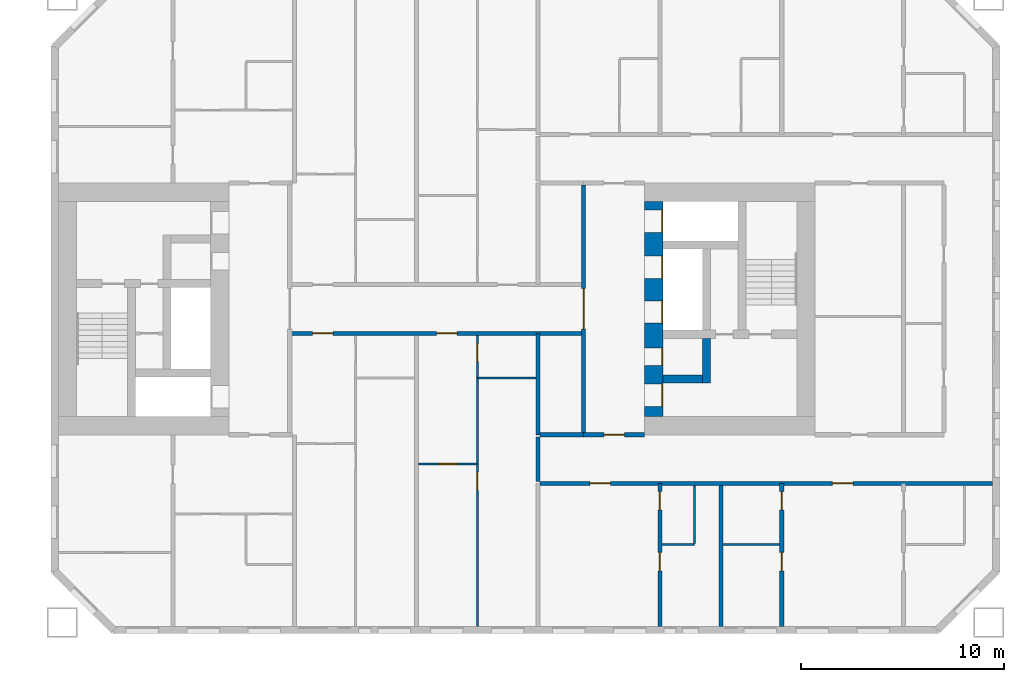
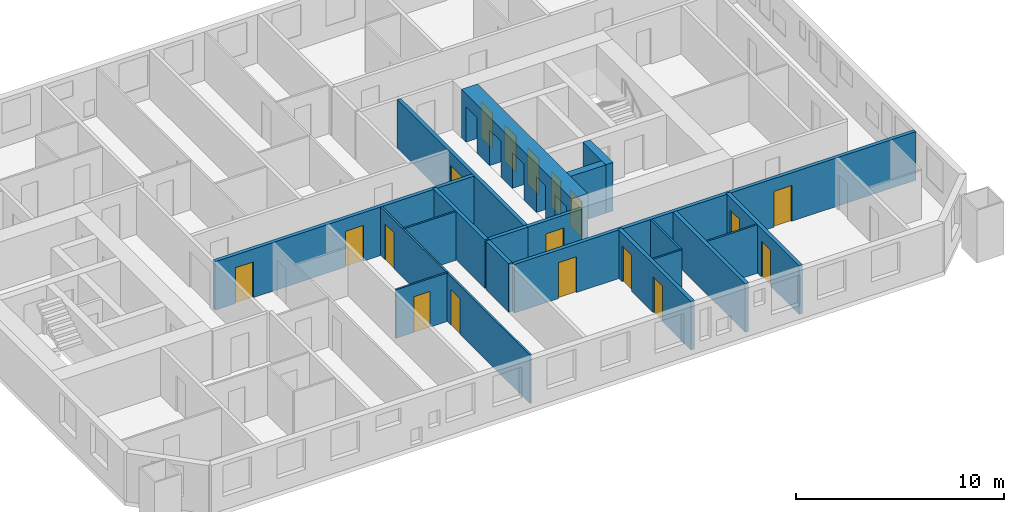
# One storey, part 12 of 17: 19 walls, 18 doors, 18 openings.
"""IFC4 building model written with IfcOpenShell, lengths in metres."""

import ifcopenshell
import ifcopenshell.guid

model = None  # the IFC model being written
_history = None  # IfcOwnerHistory: only IFC2X3 demands one
_inside = {}  # id of a spatial element -> (the spatial element, [elements in it])
_under = {}  # id of a project, library or spatial element -> (it, [spatial elements below it])
_declared = {}  # id of a project -> (the project, [libraries it declares])
_typed = {}  # id of a type object -> (the type object, [elements of that type])
_made_of = {}  # id of a material, layer set ... -> (it, [elements and type objects made of it])


def new_model(schema):
    """Start an empty IFC model of exactly this schema.

    Asked for "IFC4X3", IfcOpenShell would pick the latest addendum, in which some entities
    have other attributes; the version numbers below select the first issue.
    IFC2X3 requires an IfcOwnerHistory on every rooted entity: one is made here for all.
    """
    global model, _history
    if schema == "IFC4X3":
        model = ifcopenshell.file(schema_version=(4, 3, 0, 0))
    else:
        model = ifcopenshell.file(schema=schema)
    _inside.clear()
    _under.clear()
    _declared.clear()
    _typed.clear()
    _made_of.clear()
    _history = None
    if model.schema == "IFC2X3":
        org = make("IfcOrganization", Name="unknown")
        user = make(
            "IfcPersonAndOrganization",
            ThePerson=make("IfcPerson", FamilyName="unknown"),
            TheOrganization=org,
        )
        app = make(
            "IfcApplication",
            ApplicationDeveloper=org,
            Version="unknown",
            ApplicationFullName="unknown",
            ApplicationIdentifier="unknown",
        )
        _history = make(
            "IfcOwnerHistory",
            OwningUser=user,
            OwningApplication=app,
            ChangeAction="ADDED",
            CreationDate=0,
        )
    return model


def make(cls, **values):
    """One entity of the class cls with the attributes given. An attribute that is None is left unset."""
    return model.create_entity(
        cls, **{name: value for name, value in values.items() if value is not None}
    )


def rooted(cls, **values):
    """An entity with a GlobalId (a new one), such as an element, a storey or a relation."""
    return make(cls, GlobalId=ifcopenshell.guid.new(), OwnerHistory=_history, **values)


def si_unit(unit_type, name, prefix=None):
    """IfcSIUnit, for example si_unit("LENGTHUNIT", "METRE", prefix="MILLI")."""
    return make("IfcSIUnit", UnitType=unit_type, Prefix=prefix, Name=name)


def assignment(units):
    """IfcUnitAssignment: the units of a project."""
    return None if units is None else make("IfcUnitAssignment", Units=units)


def point(xyz):
    """IfcCartesianPoint."""
    return None if xyz is None else make("IfcCartesianPoint", Coordinates=xyz)


def direction(xyz):
    """IfcDirection."""
    return None if xyz is None else make("IfcDirection", DirectionRatios=xyz)


def frame(location, z_axis=None, x_axis=None):
    """IfcAxis2Placement3D, a coordinate frame: its origin and axes. An axis left out is left unset."""
    return make(
        "IfcAxis2Placement3D",
        Location=point(location),
        Axis=direction(z_axis),
        RefDirection=direction(x_axis),
    )


def frame_2d(location, x_axis=None):
    """IfcAxis2Placement2D, a coordinate frame in the plane: its origin and x axis."""
    return make(
        "IfcAxis2Placement2D", Location=point(location), RefDirection=direction(x_axis)
    )


def origin():
    """The frame at (0, 0, 0) with its axes left unset."""
    return frame((0.0, 0.0, 0.0))


def place(relative_to, where):
    """IfcLocalPlacement: puts the frame where relative to a parent placement (None: the world)."""
    return make(
        "IfcLocalPlacement", PlacementRelTo=relative_to, RelativePlacement=where
    )


def context(
    kind, dimensions, precision=None, world=None, true_north=None, identifier=None
):
    """IfcGeometricRepresentationContext, for example the 3D "Model" context."""
    return make(
        "IfcGeometricRepresentationContext",
        ContextIdentifier=identifier,
        ContextType=kind,
        CoordinateSpaceDimension=dimensions,
        Precision=precision,
        WorldCoordinateSystem=world,
        TrueNorth=true_north,
    )


def subcontext(parent, identifier, kind, view, scale=None):
    """IfcGeometricRepresentationSubContext, for example "Body" below "Model"."""
    return make(
        "IfcGeometricRepresentationSubContext",
        ContextIdentifier=identifier,
        ContextType=kind,
        ParentContext=parent,
        TargetScale=scale,
        TargetView=view,
    )


def project(units=None, contexts=None):
    """IfcProject with its units and contexts."""
    return rooted(
        "IfcProject",
        Name="project",
        RepresentationContexts=contexts,
        UnitsInContext=assignment(units),
    )


def spatial(cls, under=None, at=None, **own):
    """A site, building, storey or space (cls), placed at a placement, below another one or the project."""
    s = rooted(cls, ObjectPlacement=at, **own)
    if under is not None:
        _under.setdefault(under.id(), (under, []))[1].append(s)
    return s


def profile(cls, at=None, kind="AREA", **sizes):
    """A parametric profile (cls). Its sizes go by their IFC names, for example OverallWidth=200.0."""
    return make(cls, ProfileType=kind, Position=at, **sizes)


def rectangle(**sizes):
    """IfcRectangleProfileDef."""
    return profile("IfcRectangleProfileDef", **sizes)


def extrude(swept, where, along, depth):
    """IfcExtrudedAreaSolid: the profile swept, set in the frame where, extruded along a direction by depth."""
    return make(
        "IfcExtrudedAreaSolid",
        SweptArea=swept,
        Position=where,
        ExtrudedDirection=direction(along),
        Depth=depth,
    )


def shape(context_of_items, identifier, shape_type, items):
    """IfcShapeRepresentation: the items that make up one representation, for example the "Body"."""
    return make(
        "IfcShapeRepresentation",
        ContextOfItems=context_of_items,
        RepresentationIdentifier=identifier,
        RepresentationType=shape_type,
        Items=items,
    )


def material(Name=None, Category=None):
    """IfcMaterial."""
    return make("IfcMaterial", Name=Name, Category=Category)


def layer(
    of_material, thickness, ventilated=None, Name=None, Category=None, Priority=None
):
    """IfcMaterialLayer: one layer of a wall or slab, of a material (None: an air gap)."""
    return make(
        "IfcMaterialLayer",
        Material=of_material,
        LayerThickness=thickness,
        IsVentilated=ventilated,
        Name=Name,
        Category=Category,
        Priority=Priority,
    )


def layer_set(layers, Name=None):
    """IfcMaterialLayerSet."""
    return make("IfcMaterialLayerSet", MaterialLayers=layers, LayerSetName=Name)


def made_of(thing, what):
    """Note that an element or type object is made of a material, layer set ...; save() writes the relation."""
    if what is not None:
        _made_of.setdefault(what.id(), (what, []))[1].append(thing)
    return thing


def type_object(cls, material=None, **own):
    """A type object (cls), such as IfcWallType, which elements share."""
    return made_of(rooted(cls, **own), material)


def element(
    cls,
    number,
    at=None,
    inside=None,
    cuts=None,
    type_object=None,
    material=None,
    context=None,
    identifier="Body",
    shape_type=None,
    held_by="IfcProductDefinitionShape",
    body=None,
    shapes=None,
    **own,
):
    """One element of the class cls, such as IfcWall. Its Tag is "e" and its number.

    at: its placement. inside: the storey or other place that contains it. cuts: it is an
    opening in that element (IfcRelVoidsElement). A single representation is given by context,
    identifier, shape_type and body (its items); several are given by shapes. held_by: the class
    of the entity that holds the representations. save() writes the other relations.
    """
    e = rooted(cls, Tag="e%d" % number, ObjectPlacement=at, **own)
    if body is not None:
        shapes = [shape(context, identifier, shape_type, body)]
    if shapes is not None:
        e.Representation = make(held_by, Representations=shapes)
    if inside is not None:
        _inside.setdefault(inside.id(), (inside, []))[1].append(e)
    if cuts is not None:
        rooted(
            "IfcRelVoidsElement", RelatingBuildingElement=cuts, RelatedOpeningElement=e
        )
    if type_object is not None:
        _typed.setdefault(type_object.id(), (type_object, []))[1].append(e)
    return made_of(e, material)


def fill(opening, filler):
    """IfcRelFillsElement: the door or window that sits in an opening."""
    return rooted(
        "IfcRelFillsElement",
        RelatingOpeningElement=opening,
        RelatedBuildingElement=filler,
    )


def aggregate(whole, parts):
    """IfcRelAggregates: a whole, such as a stair, and the parts it consists of."""
    return rooted("IfcRelAggregates", RelatingObject=whole, RelatedObjects=parts)


def save(model, path):
    """Write the relations noted so far, then the file.

    IfcRelAggregates (storeys below a building ...), IfcRelContainedInSpatialStructure (elements
    in a storey), IfcRelDefinesByType, IfcRelAssociatesMaterial and IfcRelDeclares: one each for
    every whole, place, type object, material and project.
    """
    for whole, parts in _under.values():
        aggregate(whole, parts)
    for where, things in _inside.values():
        rooted(
            "IfcRelContainedInSpatialStructure",
            RelatedElements=things,
            RelatingStructure=where,
        )
    for kind, things in _typed.values():
        rooted("IfcRelDefinesByType", RelatedObjects=things, RelatingType=kind)
    for what, things in _made_of.values():
        rooted("IfcRelAssociatesMaterial", RelatedObjects=things, RelatingMaterial=what)
    for by, libraries in _declared.values():
        rooted("IfcRelDeclares", RelatingContext=by, RelatedDefinitions=libraries)
    model.write(path)


model = new_model("IFC4")

# Units and contexts
model_context = context("Model", 3, precision=1e-05, world=origin(), true_north=direction((0.0, 1.0)))
body_context = subcontext(model_context, "Body", "Model", "MODEL_VIEW")
ifc_project = project(units=[si_unit("LENGTHUNIT", "METRE"), si_unit("AREAUNIT", "SQUARE_METRE"), si_unit("VOLUMEUNIT", "CUBIC_METRE"), si_unit("PLANEANGLEUNIT", "RADIAN"), si_unit("MASSUNIT", "GRAM", prefix="KILO")], contexts=[model_context])

# Site, building, storey
site_placement = place(None, origin())
site = spatial("IfcSite", under=ifc_project, at=site_placement, CompositionType="ELEMENT")
building_placement = place(site_placement, origin())
building = spatial("IfcBuilding", under=site, at=building_placement, Name="Tuart Gate Housing", CompositionType="ELEMENT")
storey_placement = place(building_placement, frame((0.0, 0.0, 28.800048828125)))
storey = spatial("IfcBuildingStorey", under=building, at=storey_placement, Name="L07", CompositionType="ELEMENT", Elevation=28.800048828125)

# Walls
ifc_material_1 = material(Name="Concrete C60", Category="concrete")
ifc_layer_1 = layer(ifc_material_1, 0.39990234375)
ifc_layer_set_1 = layer_set([ifc_layer_1], Name="Core wall 400 C60")
wall_type_1 = type_object("IfcWallType", Name="Core wall 400 C60", PredefinedType="SHEAR", material=ifc_layer_set_1)
wall_1_placement = place(storey_placement, frame((161.139892578125, 66.550048828125, 0.0), z_axis=(0.0, 0.0, 1.0), x_axis=(1.0, 0.0, 0.0)))
element("IfcWall", 1, at=wall_1_placement, inside=storey, type_object=wall_type_1, Name="Core wall BK.3", PredefinedType="SHEAR", context=body_context, shape_type="SweptSolid", body=[
    extrude(rectangle(XDim=1.9501953125, YDim=0.39990234375, at=frame_2d((0.97509765625, 0.0))), origin(), (0.0, 0.0, 1.0), 2.849853515625),
])
wall_2_placement = place(storey_placement, frame((163.2900390625, 68.550048828125, 0.0), z_axis=(0.0, 0.0, 1.0), x_axis=(0.0, -1.0, 0.0)))
element("IfcWall", 2, at=wall_2_placement, inside=storey, type_object=wall_type_1, Name="Core wall BK.5", PredefinedType="SHEAR", context=body_context, shape_type="SweptSolid", body=[
    extrude(rectangle(XDim=2.199951171875, YDim=0.39990234375, at=frame_2d((1.10009765625, 0.0))), origin(), (0.0, 0.0, 1.0), 2.849853515625),
])

# Wall, openings, doors
ifc_material_2 = material(Name="Concrete C60", Category="concrete")
ifc_layer_2 = layer(ifc_material_2, 0.89990234375)
ifc_layer_set_2 = layer_set([ifc_layer_2], Name="Core wall 900 C60")
wall_type_2 = type_object("IfcWallType", Name="Core wall 900 C60", PredefinedType="SHEAR", material=ifc_layer_set_2)
wall_3_placement = place(storey_placement, frame((160.68994140625, 75.300048828125, 0.0), z_axis=(0.0, 0.0, 1.0), x_axis=(0.0, -1.0, 0.0)))
wall_3 = element("IfcWall", 3, at=wall_3_placement, inside=storey, type_object=wall_type_2, Name="Core wall BK front", PredefinedType="SHEAR", context=body_context, shape_type="SweptSolid", body=[
    extrude(rectangle(XDim=10.60009765625, YDim=0.89990234375, at=frame_2d((5.300048828125, 0.0))), origin(), (0.0, 0.0, 1.0), 2.849853515625),
])
opening_1_placement = place(wall_3_placement, frame((0.425048828125, 0.0, 0.0)))
opening_1 = element("IfcOpeningElement", 4, at=opening_1_placement, cuts=wall_3, Name="Opening LD-FB2", PredefinedType="OPENING", context=body_context, shape_type="SweptSolid", body=[
    extrude(rectangle(XDim=1.10009765625, YDim=2.10009765625, at=frame_2d((0.550048828125, 1.050048828125))), frame((0.0, 0.4599609375, 0.0), z_axis=(0.0, -1.0, 0.0), x_axis=(1.0, 0.0, 0.0)), (0.0, 0.0, 1.0), 0.919921875),
])
opening_2_placement = place(wall_3_placement, frame((2.699951171875, 0.0, 0.0)))
opening_2 = element("IfcOpeningElement", 5, at=opening_2_placement, cuts=wall_3, Name="Opening LD-LB3", PredefinedType="OPENING", context=body_context, shape_type="SweptSolid", body=[
    extrude(rectangle(XDim=1.10009765625, YDim=2.10009765625, at=frame_2d((0.550048828125, 1.050048828125))), frame((0.0, 0.4599609375, 0.0), z_axis=(0.0, -1.0, 0.0), x_axis=(1.0, 0.0, 0.0)), (0.0, 0.0, 1.0), 0.919921875),
])
opening_3_placement = place(wall_3_placement, frame((4.89990234375, 0.0, 0.0)))
opening_3 = element("IfcOpeningElement", 6, at=opening_3_placement, cuts=wall_3, Name="Opening LD-LB4", PredefinedType="OPENING", context=body_context, shape_type="SweptSolid", body=[
    extrude(rectangle(XDim=1.10009765625, YDim=2.10009765625, at=frame_2d((0.550048828125, 1.050048828125))), frame((0.0, 0.4599609375, 0.0), z_axis=(0.0, -1.0, 0.0), x_axis=(1.0, 0.0, 0.0)), (0.0, 0.0, 1.0), 0.919921875),
])
opening_4_placement = place(wall_3_placement, frame((9.0, 0.0, 0.0)))
opening_4 = element("IfcOpeningElement", 7, at=opening_4_placement, cuts=wall_3, Name="Opening D560", PredefinedType="OPENING", context=body_context, shape_type="SweptSolid", body=[
    extrude(rectangle(XDim=1.10009765625, YDim=2.10009765625, at=frame_2d((0.550048828125, 1.050048828125))), frame((0.0, 0.4599609375, 0.0), z_axis=(0.0, -1.0, 0.0), x_axis=(1.0, 0.0, 0.0)), (0.0, 0.0, 1.0), 0.919921875),
])
opening_5_placement = place(wall_3_placement, frame((7.22509765625, 0.0, 0.0)))
opening_5 = element("IfcOpeningElement", 8, at=opening_5_placement, cuts=wall_3, Name="Opening D561", PredefinedType="OPENING", context=body_context, shape_type="SweptSolid", body=[
    extrude(rectangle(XDim=0.85009765625, YDim=2.10009765625, at=frame_2d((0.425048828125, 1.050048828125))), frame((0.0, 0.4599609375, 0.0), z_axis=(0.0, -1.0, 0.0), x_axis=(1.0, 0.0, 0.0)), (0.0, 0.0, 1.0), 0.919921875),
])
ifc_material_3 = material(Name="Stainless steel", Category="steel")
door_type_1 = type_object("IfcDoorType", Name="Landing door 1100 x 2100", OperationType="DOUBLE_DOOR_SLIDING", PredefinedType="DOOR", material=ifc_material_3)
door_1_placement = place(opening_1_placement, origin())
door_1 = element("IfcDoor", 9, at=door_1_placement, inside=storey, type_object=door_type_1, Name="Lift landing door FB2", OperationType="DOUBLE_DOOR_SLIDING", OverallHeight=2.10009765625, OverallWidth=1.10009765625, PredefinedType="DOOR", context=body_context, shape_type="SweptSolid", body=[
    extrude(rectangle(XDim=1.10009765625, YDim=2.10009765625, at=frame_2d((0.550048828125, 1.050048828125))), frame((0.0, 0.43505859375, 0.0), z_axis=(0.0, -1.0, 0.0), x_axis=(1.0, 0.0, 0.0)), (0.0, 0.0, 1.0), 0.050048828125),
])
fill(opening_1, door_1)
door_2_placement = place(opening_2_placement, origin())
door_2 = element("IfcDoor", 10, at=door_2_placement, inside=storey, type_object=door_type_1, Name="Lift landing door LB3", OperationType="DOUBLE_DOOR_SLIDING", OverallHeight=2.10009765625, OverallWidth=1.10009765625, PredefinedType="DOOR", context=body_context, shape_type="SweptSolid", body=[
    extrude(rectangle(XDim=1.10009765625, YDim=2.10009765625, at=frame_2d((0.550048828125, 1.050048828125))), frame((0.0, 0.43505859375, 0.0), z_axis=(0.0, -1.0, 0.0), x_axis=(1.0, 0.0, 0.0)), (0.0, 0.0, 1.0), 0.050048828125),
])
fill(opening_2, door_2)
door_3_placement = place(opening_3_placement, origin())
door_3 = element("IfcDoor", 11, at=door_3_placement, inside=storey, type_object=door_type_1, Name="Lift landing door LB4", OperationType="DOUBLE_DOOR_SLIDING", OverallHeight=2.10009765625, OverallWidth=1.10009765625, PredefinedType="DOOR", context=body_context, shape_type="SweptSolid", body=[
    extrude(rectangle(XDim=1.10009765625, YDim=2.10009765625, at=frame_2d((0.550048828125, 1.050048828125))), frame((0.0, 0.43505859375, 0.0), z_axis=(0.0, -1.0, 0.0), x_axis=(1.0, 0.0, 0.0)), (0.0, 0.0, 1.0), 0.050048828125),
])
fill(opening_3, door_3)
ifc_material_4 = material(Name="Steel fire door", Category="steel")
door_type_2 = type_object("IfcDoorType", Name="Lobby door 1100 x 2100", OperationType="SINGLE_SWING_LEFT", PredefinedType="DOOR", material=ifc_material_4)
door_4_placement = place(opening_4_placement, origin())
door_4 = element("IfcDoor", 12, at=door_4_placement, inside=storey, type_object=door_type_2, Name="Lobby entry door BK.EN", OperationType="SINGLE_SWING_LEFT", OverallHeight=2.10009765625, OverallWidth=1.10009765625, PredefinedType="DOOR", context=body_context, shape_type="SweptSolid", body=[
    extrude(rectangle(XDim=1.10009765625, YDim=2.10009765625, at=frame_2d((0.550048828125, 1.050048828125))), frame((0.0, 0.43505859375, 0.0), z_axis=(0.0, -1.0, 0.0), x_axis=(1.0, 0.0, 0.0)), (0.0, 0.0, 1.0), 0.050048828125),
])
fill(opening_4, door_4)
ifc_material_5 = material(Name="Steel fire door", Category="steel")
door_type_3 = type_object("IfcDoorType", Name="Service door 850 x 2100", OperationType="SINGLE_SWING_LEFT", PredefinedType="DOOR", material=ifc_material_5)
door_5_placement = place(opening_5_placement, origin())
door_5 = element("IfcDoor", 13, at=door_5_placement, inside=storey, type_object=door_type_3, Name="Service room door BK.T1", OperationType="SINGLE_SWING_LEFT", OverallHeight=2.10009765625, OverallWidth=0.85009765625, PredefinedType="DOOR", context=body_context, shape_type="SweptSolid", body=[
    extrude(rectangle(XDim=0.85009765625, YDim=2.10009765625, at=frame_2d((0.425048828125, 1.050048828125))), frame((0.0, 0.43505859375, 0.0), z_axis=(0.0, -1.0, 0.0), x_axis=(1.0, 0.0, 0.0)), (0.0, 0.0, 1.0), 0.050048828125),
])
fill(opening_5, door_5)

ifc_material_6 = material(Name="Concrete masonry 15 MPa", Category="masonry")
ifc_layer_3 = layer(ifc_material_6, 0.199951171875)
ifc_layer_set_3 = layer_set([ifc_layer_3], Name="Corridor wall masonry 200")
wall_type_3 = type_object("IfcWallType", Name="Corridor wall masonry 200", PredefinedType="PARTITIONING", material=ifc_layer_set_3)
wall_4_placement = place(storey_placement, frame((155.10009765625, 61.39990234375, 0.0), z_axis=(0.0, 0.0, 1.0), x_axis=(1.0, 0.0, 0.0)))
wall_4 = element("IfcWall", 14, at=wall_4_placement, inside=storey, type_object=wall_type_3, Name="Corridor wall masonry 200", PredefinedType="PARTITIONING", context=body_context, shape_type="SweptSolid", body=[
    extrude(rectangle(XDim=22.289794921875, YDim=0.199951171875, at=frame_2d((11.14501953125, 0.0))), origin(), (0.0, 0.0, 1.0), 2.849853515625),
])
opening_6_placement = place(wall_4_placement, frame((2.449951171875, 0.0, 0.0)))
opening_6 = element("IfcOpeningElement", 15, at=opening_6_placement, cuts=wall_4, Name="Opening D578", PredefinedType="OPENING", context=body_context, shape_type="SweptSolid", body=[
    extrude(rectangle(XDim=1.0, YDim=2.10009765625, at=frame_2d((0.5, 1.050048828125))), frame((0.0, 0.10986328125, 0.0), z_axis=(0.0, -1.0, 0.0), x_axis=(1.0, 0.0, 0.0)), (0.0, 0.0, 1.0), 0.219970703125),
])
opening_7_placement = place(wall_4_placement, frame((14.39990234375, 0.0, 0.0)))
opening_7 = element("IfcOpeningElement", 16, at=opening_7_placement, cuts=wall_4, Name="Opening D579", PredefinedType="OPENING", context=body_context, shape_type="SweptSolid", body=[
    extrude(rectangle(XDim=1.0, YDim=2.10009765625, at=frame_2d((0.5, 1.050048828125))), frame((0.0, 0.10986328125, 0.0), z_axis=(0.0, -1.0, 0.0), x_axis=(1.0, 0.0, 0.0)), (0.0, 0.0, 1.0), 0.219970703125),
])
ifc_material_7 = material(Name="Timber door leaf in steel frame", Category="steel")
door_type_4 = type_object("IfcDoorType", Name="Flat entrance door 1000", OperationType="SINGLE_SWING_LEFT", PredefinedType="DOOR", material=ifc_material_7)
door_6_placement = place(opening_6_placement, frame((1.0, 0.0, 0.0), z_axis=(0.0, 0.0, 1.0), x_axis=(-1.0, 0.0, 0.0)))
door_6 = element("IfcDoor", 17, at=door_6_placement, inside=storey, type_object=door_type_4, Name="Flat entrance door", OperationType="SINGLE_SWING_LEFT", OverallHeight=2.10009765625, OverallWidth=1.0, PredefinedType="DOOR", context=body_context, shape_type="SweptSolid", body=[
    extrude(rectangle(XDim=1.0, YDim=2.10009765625, at=frame_2d((0.5, 1.050048828125))), frame((0.0, 0.025146484375, 0.0), z_axis=(0.0, -1.0, 0.0), x_axis=(1.0, 0.0, 0.0)), (0.0, 0.0, 1.0), 0.050048828125),
])
fill(opening_6, door_6)
ifc_material_8 = material(Name="Timber door leaf in steel frame", Category="steel")
door_type_5 = type_object("IfcDoorType", Name="Flat entrance door 1000 RH", OperationType="SINGLE_SWING_RIGHT", PredefinedType="DOOR", material=ifc_material_8)
door_7_placement = place(opening_7_placement, frame((1.0, 0.0, 0.0), z_axis=(0.0, 0.0, 1.0), x_axis=(-1.0, 0.0, 0.0)))
door_7 = element("IfcDoor", 18, at=door_7_placement, inside=storey, type_object=door_type_5, Name="Flat entrance door", OperationType="SINGLE_SWING_RIGHT", OverallHeight=2.10009765625, OverallWidth=1.0, PredefinedType="DOOR", context=body_context, shape_type="SweptSolid", body=[
    extrude(rectangle(XDim=1.0, YDim=2.10009765625, at=frame_2d((0.5, 1.050048828125))), frame((0.0, 0.025146484375, 0.0), z_axis=(0.0, -1.0, 0.0), x_axis=(1.0, 0.0, 0.0)), (0.0, 0.0, 1.0), 0.050048828125),
])
fill(opening_7, door_7)

# Wall
wall_5_placement = place(storey_placement, frame((155.10009765625, 63.800048828125, 0.0), z_axis=(0.0, 0.0, 1.0), x_axis=(1.0, 0.0, 0.0)))
element("IfcWall", 19, at=wall_5_placement, inside=storey, type_object=wall_type_3, Name="Corridor wall masonry 200", PredefinedType="PARTITIONING", context=body_context, shape_type="SweptSolid", body=[
    extrude(rectangle(XDim=2.139892578125, YDim=0.199951171875, at=frame_2d((1.06982421875, 0.0))), origin(), (0.0, 0.0, 1.0), 2.849853515625),
])

# Wall, openings, doors
wall_6_placement = place(storey_placement, frame((142.760009765625, 68.800048828125, 0.0), z_axis=(0.0, 0.0, 1.0), x_axis=(1.0, 0.0, 0.0)))
wall_6 = element("IfcWall", 20, at=wall_6_placement, inside=storey, type_object=wall_type_3, Name="Corridor wall masonry 200", PredefinedType="PARTITIONING", context=body_context, shape_type="SweptSolid", body=[
    extrude(rectangle(XDim=14.47998046875, YDim=0.199951171875, at=frame_2d((7.239990234375, 0.0))), origin(), (0.0, 0.0, 1.0), 2.849853515625),
])
opening_8_placement = place(wall_6_placement, frame((1.1201171875, 0.0, 0.0)))
opening_8 = element("IfcOpeningElement", 21, at=opening_8_placement, cuts=wall_6, Name="Opening D565", PredefinedType="OPENING", context=body_context, shape_type="SweptSolid", body=[
    extrude(rectangle(XDim=1.0, YDim=2.10009765625, at=frame_2d((0.5, 1.050048828125))), frame((0.0, 0.10986328125, 0.0), z_axis=(0.0, -1.0, 0.0), x_axis=(1.0, 0.0, 0.0)), (0.0, 0.0, 1.0), 0.219970703125),
])
opening_9_placement = place(wall_6_placement, frame((7.239990234375, 0.0, 0.0)))
opening_9 = element("IfcOpeningElement", 22, at=opening_9_placement, cuts=wall_6, Name="Opening D566", PredefinedType="OPENING", context=body_context, shape_type="SweptSolid", body=[
    extrude(rectangle(XDim=1.0, YDim=2.10009765625, at=frame_2d((0.5, 1.050048828125))), frame((0.0, 0.10986328125, 0.0), z_axis=(0.0, -1.0, 0.0), x_axis=(1.0, 0.0, 0.0)), (0.0, 0.0, 1.0), 0.219970703125),
])
door_8_placement = place(opening_8_placement, frame((1.0, 0.0, 0.0), z_axis=(0.0, 0.0, 1.0), x_axis=(-1.0, 0.0, 0.0)))
door_8 = element("IfcDoor", 23, at=door_8_placement, inside=storey, type_object=door_type_5, Name="Flat entrance door", OperationType="SINGLE_SWING_RIGHT", OverallHeight=2.10009765625, OverallWidth=1.0, PredefinedType="DOOR", context=body_context, shape_type="SweptSolid", body=[
    extrude(rectangle(XDim=1.0, YDim=2.10009765625, at=frame_2d((0.5, 1.050048828125))), frame((0.0, 0.025146484375, 0.0), z_axis=(0.0, -1.0, 0.0), x_axis=(1.0, 0.0, 0.0)), (0.0, 0.0, 1.0), 0.050048828125),
])
fill(opening_8, door_8)
door_9_placement = place(opening_9_placement, frame((1.0, 0.0, 0.0), z_axis=(0.0, 0.0, 1.0), x_axis=(-1.0, 0.0, 0.0)))
door_9 = element("IfcDoor", 24, at=door_9_placement, inside=storey, type_object=door_type_5, Name="Flat entrance door", OperationType="SINGLE_SWING_RIGHT", OverallHeight=2.10009765625, OverallWidth=1.0, PredefinedType="DOOR", context=body_context, shape_type="SweptSolid", body=[
    extrude(rectangle(XDim=1.0, YDim=2.10009765625, at=frame_2d((0.5, 1.050048828125))), frame((0.0, 0.025146484375, 0.0), z_axis=(0.0, -1.0, 0.0), x_axis=(1.0, 0.0, 0.0)), (0.0, 0.0, 1.0), 0.050048828125),
])
fill(opening_9, door_9)

# Wall
wall_7_placement = place(storey_placement, frame((155.0, 61.5, 0.0), z_axis=(0.0, 0.0, 1.0), x_axis=(0.0, 1.0, 0.0)))
element("IfcWall", 25, at=wall_7_placement, inside=storey, type_object=wall_type_3, Name="Corridor wall masonry 200", PredefinedType="PARTITIONING", context=body_context, shape_type="SweptSolid", body=[
    extrude(rectangle(XDim=2.199951171875, YDim=0.199951171875, at=frame_2d((1.10009765625, 0.0))), origin(), (0.0, 0.0, 1.0), 2.849853515625),
])

# Wall, opening, door
ifc_material_9 = material(Name="Concrete masonry 15 MPa", Category="masonry")
ifc_layer_4 = layer(ifc_material_9, 0.199951171875)
ifc_layer_set_4 = layer_set([ifc_layer_4], Name="Enclosure wall masonry 200")
wall_type_4 = type_object("IfcWallType", Name="Enclosure wall masonry 200", PredefinedType="PARTITIONING", material=ifc_layer_set_4)
wall_8_placement = place(storey_placement, frame((157.239990234375, 63.800048828125, 0.0), z_axis=(0.0, 0.0, 1.0), x_axis=(1.0, 0.0, 0.0)))
wall_8 = element("IfcWall", 26, at=wall_8_placement, inside=storey, type_object=wall_type_4, Name="Enclosure wall masonry 200", PredefinedType="PARTITIONING", context=body_context, shape_type="SweptSolid", body=[
    extrude(rectangle(XDim=3.0, YDim=0.199951171875, at=frame_2d((1.5, 0.0))), origin(), (0.0, 0.0, 1.0), 2.849853515625),
])
opening_10_placement = place(wall_8_placement, frame((1.0, 0.0, 0.0)))
opening_10 = element("IfcOpeningElement", 27, at=opening_10_placement, cuts=wall_8, Name="Opening D570", PredefinedType="OPENING", context=body_context, shape_type="SweptSolid", body=[
    extrude(rectangle(XDim=1.0, YDim=2.10009765625, at=frame_2d((0.5, 1.050048828125))), frame((0.0, 0.10986328125, 0.0), z_axis=(0.0, -1.0, 0.0), x_axis=(1.0, 0.0, 0.0)), (0.0, 0.0, 1.0), 0.219970703125),
])
ifc_material_10 = material(Name="Timber door leaf in steel frame", Category="steel")
door_type_6 = type_object("IfcDoorType", Name="Fire door 1000 RH", OperationType="SINGLE_SWING_RIGHT", PredefinedType="DOOR", material=ifc_material_10)
door_10_placement = place(opening_10_placement, frame((1.0, 0.0, 0.0), z_axis=(0.0, 0.0, 1.0), x_axis=(-1.0, 0.0, 0.0)))
door_10 = element("IfcDoor", 28, at=door_10_placement, inside=storey, type_object=door_type_6, Name="Fire door", OperationType="SINGLE_SWING_RIGHT", OverallHeight=2.10009765625, OverallWidth=1.0, PredefinedType="DOOR", context=body_context, shape_type="SweptSolid", body=[
    extrude(rectangle(XDim=1.0, YDim=2.10009765625, at=frame_2d((0.5, 1.050048828125))), frame((0.0, 0.025146484375, 0.0), z_axis=(0.0, -1.0, 0.0), x_axis=(1.0, 0.0, 0.0)), (0.0, 0.0, 1.0), 0.050048828125),
])
fill(opening_10, door_10)

ifc_material_11 = material(Name="Plasterboard partition")
ifc_layer_5 = layer(ifc_material_11, 0.199951171875)
ifc_layer_set_5 = layer_set([ifc_layer_5], Name="Lobby wall 200")
wall_type_5 = type_object("IfcWallType", Name="Lobby wall 200", PredefinedType="PARTITIONING", material=ifc_layer_set_5)
wall_9_placement = place(storey_placement, frame((157.239990234375, 63.89990234375, 0.0), z_axis=(0.0, 0.0, 1.0), x_axis=(0.0, 1.0, 0.0)))
wall_9 = element("IfcWall", 29, at=wall_9_placement, inside=storey, type_object=wall_type_5, Name="Lift lobby wall BK", PredefinedType="PARTITIONING", context=body_context, shape_type="SweptSolid", body=[
    extrude(rectangle(XDim=12.2001953125, YDim=0.199951171875, at=frame_2d((6.10009765625, 0.0))), origin(), (0.0, 0.0, 1.0), 2.849853515625),
])
opening_11_placement = place(wall_9_placement, frame((5.10009765625, 0.0, 0.0)))
opening_11 = element("IfcOpeningElement", 30, at=opening_11_placement, cuts=wall_9, Name="Opening D559", PredefinedType="OPENING", context=body_context, shape_type="SweptSolid", body=[
    extrude(rectangle(XDim=2.0, YDim=2.10009765625, at=frame_2d((1.0, 1.050048828125))), frame((0.0, 0.10986328125, 0.0), z_axis=(0.0, -1.0, 0.0), x_axis=(1.0, 0.0, 0.0)), (0.0, 0.0, 1.0), 0.219970703125),
])
ifc_material_12 = material(Name="Steel fire door", Category="steel")
door_type_7 = type_object("IfcDoorType", Name="Smoke door 2000 x 2100", OperationType="DOUBLE_DOOR_SINGLE_SWING", PredefinedType="DOOR", material=ifc_material_12)
door_11_placement = place(opening_11_placement, frame((2.0, 0.0, 0.0), z_axis=(0.0, 0.0, 1.0), x_axis=(-1.0, 0.0, 0.0)))
door_11 = element("IfcDoor", 31, at=door_11_placement, inside=storey, type_object=door_type_7, Name="Lift lobby smoke door BK", OperationType="DOUBLE_DOOR_SINGLE_SWING", OverallHeight=2.10009765625, OverallWidth=2.0, PredefinedType="DOOR", context=body_context, shape_type="SweptSolid", body=[
    extrude(rectangle(XDim=2.0, YDim=2.10009765625, at=frame_2d((1.0, 1.050048828125))), frame((0.0, 0.025146484375, 0.0), z_axis=(0.0, -1.0, 0.0), x_axis=(1.0, 0.0, 0.0)), (0.0, 0.0, 1.0), 0.050048828125),
])
fill(opening_11, door_11)

# Walls
ifc_material_13 = material(Name="Gypsum board on steel studs", Category="steel")
ifc_layer_6 = layer(ifc_material_13, 0.10009765625)
ifc_layer_set_6 = layer_set([ifc_layer_6], Name="Partition 100")
wall_type_6 = type_object("IfcWallType", Name="Partition 100", PredefinedType="PARTITIONING", material=ifc_layer_set_6)
wall_10_placement = place(storey_placement, frame((161.10009765625, 58.39990234375, 0.0), z_axis=(0.0, 0.0, 1.0), x_axis=(1.0, 0.0, 0.0)))
element("IfcWall", 32, at=wall_10_placement, inside=storey, type_object=wall_type_6, Name="Partition 100", PredefinedType="PARTITIONING", context=body_context, shape_type="SweptSolid", body=[
    extrude(rectangle(XDim=1.599853515625, YDim=0.10009765625, at=frame_2d((0.7998046875, 0.0))), origin(), (0.0, 0.0, 1.0), 2.849853515625),
])
wall_11_placement = place(storey_placement, frame((164.10009765625, 58.39990234375, 0.0), z_axis=(0.0, 0.0, 1.0), x_axis=(1.0, 0.0, 0.0)))
element("IfcWall", 33, at=wall_11_placement, inside=storey, type_object=wall_type_6, Name="Partition 100", PredefinedType="PARTITIONING", context=body_context, shape_type="SweptSolid", body=[
    extrude(rectangle(XDim=2.7998046875, YDim=0.10009765625, at=frame_2d((1.39990234375, 0.0))), origin(), (0.0, 0.0, 1.0), 2.849853515625),
])

# Wall, opening, door
wall_12_placement = place(storey_placement, frame((149.10009765625, 62.360107421875, 0.0), z_axis=(0.0, 0.0, 1.0), x_axis=(1.0, 0.0, 0.0)))
wall_12 = element("IfcWall", 34, at=wall_12_placement, inside=storey, type_object=wall_type_6, Name="Partition 100", PredefinedType="PARTITIONING", context=body_context, shape_type="SweptSolid", body=[
    extrude(rectangle(XDim=2.89990234375, YDim=0.10009765625, at=frame_2d((1.449951171875, 0.0))), origin(), (0.0, 0.0, 1.0), 2.849853515625),
])
opening_12_placement = place(wall_12_placement, frame((1.0, 0.0, 0.0)))
opening_12 = element("IfcOpeningElement", 35, at=opening_12_placement, cuts=wall_12, Name="Opening D573", PredefinedType="OPENING", context=body_context, shape_type="SweptSolid", body=[
    extrude(rectangle(XDim=0.89990234375, YDim=2.10009765625, at=frame_2d((0.449951171875, 1.050048828125))), frame((0.0, 0.06005859375, 0.0), z_axis=(0.0, -1.0, 0.0), x_axis=(1.0, 0.0, 0.0)), (0.0, 0.0, 1.0), 0.1201171875),
])
ifc_material_14 = material(Name="Timber door leaf in steel frame", Category="steel")
door_type_8 = type_object("IfcDoorType", Name="Internal door 900 RH", OperationType="SINGLE_SWING_RIGHT", PredefinedType="DOOR", material=ifc_material_14)
door_12_placement = place(opening_12_placement, origin())
door_12 = element("IfcDoor", 36, at=door_12_placement, inside=storey, type_object=door_type_8, Name="Internal door", OperationType="SINGLE_SWING_RIGHT", OverallHeight=2.10009765625, OverallWidth=0.89990234375, PredefinedType="DOOR", context=body_context, shape_type="SweptSolid", body=[
    extrude(rectangle(XDim=0.89990234375, YDim=2.10009765625, at=frame_2d((0.449951171875, 1.050048828125))), frame((0.0, 0.02490234375, 0.0), z_axis=(0.0, -1.0, 0.0), x_axis=(1.0, 0.0, 0.0)), (0.0, 0.0, 1.0), 0.050048828125),
])
fill(opening_12, door_12)

# Wall
wall_13_placement = place(storey_placement, frame((152.0, 66.60009765625, 0.0), z_axis=(0.0, 0.0, 1.0), x_axis=(1.0, 0.0, 0.0)))
element("IfcWall", 37, at=wall_13_placement, inside=storey, type_object=wall_type_6, Name="Partition 100", PredefinedType="PARTITIONING", context=body_context, shape_type="SweptSolid", body=[
    extrude(rectangle(XDim=2.89990234375, YDim=0.10009765625, at=frame_2d((1.449951171875, 0.0))), origin(), (0.0, 0.0, 1.0), 2.849853515625),
])

# Wall, openings, doors
wall_14_placement = place(storey_placement, frame((152.0, 54.360107421875, 0.0), z_axis=(0.0, 0.0, 1.0), x_axis=(0.0, 1.0, 0.0)))
wall_14 = element("IfcWall", 38, at=wall_14_placement, inside=storey, type_object=wall_type_6, Name="Partition 100", PredefinedType="PARTITIONING", context=body_context, shape_type="SweptSolid", body=[
    extrude(rectangle(XDim=14.33984375, YDim=0.10009765625, at=frame_2d((7.169921875, 0.0))), origin(), (0.0, 0.0, 1.0), 2.849853515625),
])
opening_13_placement = place(wall_14_placement, frame((6.699951171875, 0.0, 0.0)))
opening_13 = element("IfcOpeningElement", 39, at=opening_13_placement, cuts=wall_14, Name="Opening D577", PredefinedType="OPENING", context=body_context, shape_type="SweptSolid", body=[
    extrude(rectangle(XDim=0.89990234375, YDim=2.10009765625, at=frame_2d((0.449951171875, 1.050048828125))), frame((0.0, 0.06005859375, 0.0), z_axis=(0.0, -1.0, 0.0), x_axis=(1.0, 0.0, 0.0)), (0.0, 0.0, 1.0), 0.1201171875),
])
opening_14_placement = place(wall_14_placement, frame((13.0400390625, 0.0, 0.0)))
opening_14 = element("IfcOpeningElement", 40, at=opening_14_placement, cuts=wall_14, Name="Opening D576", PredefinedType="OPENING", context=body_context, shape_type="SweptSolid", body=[
    extrude(rectangle(XDim=0.89990234375, YDim=2.10009765625, at=frame_2d((0.449951171875, 1.050048828125))), frame((0.0, 0.06005859375, 0.0), z_axis=(0.0, -1.0, 0.0), x_axis=(1.0, 0.0, 0.0)), (0.0, 0.0, 1.0), 0.1201171875),
])
ifc_material_15 = material(Name="Timber door leaf in steel frame", Category="steel")
door_type_9 = type_object("IfcDoorType", Name="Bathroom door 900", OperationType="SINGLE_SWING_LEFT", PredefinedType="DOOR", material=ifc_material_15)
door_13_placement = place(opening_14_placement, frame((0.89990234375, 0.0, 0.0), z_axis=(0.0, 0.0, 1.0), x_axis=(-1.0, 0.0, 0.0)))
door_13 = element("IfcDoor", 41, at=door_13_placement, inside=storey, type_object=door_type_9, Name="Bathroom door", OperationType="SINGLE_SWING_LEFT", OverallHeight=2.10009765625, OverallWidth=0.89990234375, PredefinedType="DOOR", context=body_context, shape_type="SweptSolid", body=[
    extrude(rectangle(XDim=0.89990234375, YDim=2.10009765625, at=frame_2d((0.449951171875, 1.050048828125))), frame((0.0, 0.025146484375, 0.0), z_axis=(0.0, -1.0, 0.0), x_axis=(1.0, 0.0, 0.0)), (0.0, 0.0, 1.0), 0.050048828125),
])
fill(opening_14, door_13)
ifc_material_16 = material(Name="Timber door leaf in steel frame", Category="steel")
door_type_10 = type_object("IfcDoorType", Name="Internal door 900", OperationType="SINGLE_SWING_LEFT", PredefinedType="DOOR", material=ifc_material_16)
door_14_placement = place(opening_13_placement, frame((0.89990234375, 0.0, 0.0), z_axis=(0.0, 0.0, 1.0), x_axis=(-1.0, 0.0, 0.0)))
door_14 = element("IfcDoor", 42, at=door_14_placement, inside=storey, type_object=door_type_10, Name="Internal door", OperationType="SINGLE_SWING_LEFT", OverallHeight=2.10009765625, OverallWidth=0.89990234375, PredefinedType="DOOR", context=body_context, shape_type="SweptSolid", body=[
    extrude(rectangle(XDim=0.89990234375, YDim=2.10009765625, at=frame_2d((0.449951171875, 1.050048828125))), frame((0.0, 0.025146484375, 0.0), z_axis=(0.0, -1.0, 0.0), x_axis=(1.0, 0.0, 0.0)), (0.0, 0.0, 1.0), 0.050048828125),
])
fill(opening_13, door_14)

# Walls
wall_15_placement = place(storey_placement, frame((162.699951171875, 58.449951171875, 0.0), z_axis=(0.0, 0.0, 1.0), x_axis=(0.0, 1.0, 0.0)))
element("IfcWall", 43, at=wall_15_placement, inside=storey, type_object=wall_type_6, Name="Partition 100", PredefinedType="PARTITIONING", context=body_context, shape_type="SweptSolid", body=[
    extrude(rectangle(XDim=2.85009765625, YDim=0.10009765625, at=frame_2d((1.425048828125, 0.0))), origin(), (0.0, 0.0, 1.0), 2.849853515625),
])
ifc_material_17 = material(Name="Concrete C40", Category="concrete")
ifc_layer_7 = layer(ifc_material_17, 0.199951171875)
ifc_layer_set_7 = layer_set([ifc_layer_7], Name="Party wall concrete C40 200")
wall_type_7 = type_object("IfcWallType", Name="Party wall concrete C40 200", PredefinedType="SOLIDWALL", material=ifc_layer_set_7)
wall_16_placement = place(storey_placement, frame((155.0, 63.800048828125, 0.0), z_axis=(0.0, 0.0, 1.0), x_axis=(0.0, 1.0, 0.0)))
element("IfcWall", 44, at=wall_16_placement, inside=storey, type_object=wall_type_7, Name="Party wall concrete C40 200", PredefinedType="SOLIDWALL", context=body_context, shape_type="SweptSolid", body=[
    extrude(rectangle(XDim=5.0, YDim=0.199951171875, at=frame_2d((2.5, 0.0))), origin(), (0.0, 0.0, 1.0), 2.849853515625),
])

# Wall, openings, doors
wall_17_placement = place(storey_placement, frame((161.0, 54.360107421875, 0.0), z_axis=(0.0, 0.0, 1.0), x_axis=(0.0, 1.0, 0.0)))
wall_17 = element("IfcWall", 45, at=wall_17_placement, inside=storey, type_object=wall_type_7, Name="Party wall concrete C40 200", PredefinedType="SOLIDWALL", context=body_context, shape_type="SweptSolid", body=[
    extrude(rectangle(XDim=7.039794921875, YDim=0.199951171875, at=frame_2d((3.52001953125, 0.0))), origin(), (0.0, 0.0, 1.0), 2.849853515625),
])
opening_15_placement = place(wall_17_placement, frame((2.739990234375, 0.0, 0.0)))
opening_15 = element("IfcOpeningElement", 46, at=opening_15_placement, cuts=wall_17, Name="Opening D585", PredefinedType="OPENING", context=body_context, shape_type="SweptSolid", body=[
    extrude(rectangle(XDim=0.89990234375, YDim=2.10009765625, at=frame_2d((0.449951171875, 1.050048828125))), frame((0.0, 0.10986328125, 0.0), z_axis=(0.0, -1.0, 0.0), x_axis=(1.0, 0.0, 0.0)), (0.0, 0.0, 1.0), 0.219970703125),
])
opening_16_placement = place(wall_17_placement, frame((5.739990234375, 0.0, 0.0)))
opening_16 = element("IfcOpeningElement", 47, at=opening_16_placement, cuts=wall_17, Name="Opening D584", PredefinedType="OPENING", context=body_context, shape_type="SweptSolid", body=[
    extrude(rectangle(XDim=0.89990234375, YDim=2.10009765625, at=frame_2d((0.449951171875, 1.050048828125))), frame((0.0, 0.10986328125, 0.0), z_axis=(0.0, -1.0, 0.0), x_axis=(1.0, 0.0, 0.0)), (0.0, 0.0, 1.0), 0.219970703125),
])
door_15_placement = place(opening_16_placement, frame((0.89990234375, 0.0, 0.0), z_axis=(0.0, 0.0, 1.0), x_axis=(-1.0, 0.0, 0.0)))
door_15 = element("IfcDoor", 48, at=door_15_placement, inside=storey, type_object=door_type_9, Name="Bathroom door", OperationType="SINGLE_SWING_LEFT", OverallHeight=2.10009765625, OverallWidth=0.89990234375, PredefinedType="DOOR", context=body_context, shape_type="SweptSolid", body=[
    extrude(rectangle(XDim=0.89990234375, YDim=2.10009765625, at=frame_2d((0.449951171875, 1.050048828125))), frame((0.0, 0.025146484375, 0.0), z_axis=(0.0, -1.0, 0.0), x_axis=(1.0, 0.0, 0.0)), (0.0, 0.0, 1.0), 0.050048828125),
])
fill(opening_16, door_15)
door_16_placement = place(opening_15_placement, frame((0.89990234375, 0.0, 0.0), z_axis=(0.0, 0.0, 1.0), x_axis=(-1.0, 0.0, 0.0)))
door_16 = element("IfcDoor", 49, at=door_16_placement, inside=storey, type_object=door_type_10, Name="Internal door", OperationType="SINGLE_SWING_LEFT", OverallHeight=2.10009765625, OverallWidth=0.89990234375, PredefinedType="DOOR", context=body_context, shape_type="SweptSolid", body=[
    extrude(rectangle(XDim=0.89990234375, YDim=2.10009765625, at=frame_2d((0.449951171875, 1.050048828125))), frame((0.0, 0.025146484375, 0.0), z_axis=(0.0, -1.0, 0.0), x_axis=(1.0, 0.0, 0.0)), (0.0, 0.0, 1.0), 0.050048828125),
])
fill(opening_15, door_16)

wall_18_placement = place(storey_placement, frame((167.0, 54.360107421875, 0.0), z_axis=(0.0, 0.0, 1.0), x_axis=(0.0, 1.0, 0.0)))
wall_18 = element("IfcWall", 50, at=wall_18_placement, inside=storey, type_object=wall_type_7, Name="Party wall concrete C40 200", PredefinedType="SOLIDWALL", context=body_context, shape_type="SweptSolid", body=[
    extrude(rectangle(XDim=7.039794921875, YDim=0.199951171875, at=frame_2d((3.52001953125, 0.0))), origin(), (0.0, 0.0, 1.0), 2.849853515625),
])
opening_17_placement = place(wall_18_placement, frame((2.739990234375, 0.0, 0.0)))
opening_17 = element("IfcOpeningElement", 51, at=opening_17_placement, cuts=wall_18, Name="Opening D587", PredefinedType="OPENING", context=body_context, shape_type="SweptSolid", body=[
    extrude(rectangle(XDim=0.89990234375, YDim=2.10009765625, at=frame_2d((0.449951171875, 1.050048828125))), frame((0.0, 0.10986328125, 0.0), z_axis=(0.0, -1.0, 0.0), x_axis=(1.0, 0.0, 0.0)), (0.0, 0.0, 1.0), 0.219970703125),
])
opening_18_placement = place(wall_18_placement, frame((5.739990234375, 0.0, 0.0)))
opening_18 = element("IfcOpeningElement", 52, at=opening_18_placement, cuts=wall_18, Name="Opening D586", PredefinedType="OPENING", context=body_context, shape_type="SweptSolid", body=[
    extrude(rectangle(XDim=0.89990234375, YDim=2.10009765625, at=frame_2d((0.449951171875, 1.050048828125))), frame((0.0, 0.10986328125, 0.0), z_axis=(0.0, -1.0, 0.0), x_axis=(1.0, 0.0, 0.0)), (0.0, 0.0, 1.0), 0.219970703125),
])
ifc_material_18 = material(Name="Timber door leaf in steel frame", Category="steel")
door_type_11 = type_object("IfcDoorType", Name="Bathroom door 900 RH", OperationType="SINGLE_SWING_RIGHT", PredefinedType="DOOR", material=ifc_material_18)
door_17_placement = place(opening_18_placement, origin())
door_17 = element("IfcDoor", 53, at=door_17_placement, inside=storey, type_object=door_type_11, Name="Bathroom door", OperationType="SINGLE_SWING_RIGHT", OverallHeight=2.10009765625, OverallWidth=0.89990234375, PredefinedType="DOOR", context=body_context, shape_type="SweptSolid", body=[
    extrude(rectangle(XDim=0.89990234375, YDim=2.10009765625, at=frame_2d((0.449951171875, 1.050048828125))), frame((0.0, 0.02490234375, 0.0), z_axis=(0.0, -1.0, 0.0), x_axis=(1.0, 0.0, 0.0)), (0.0, 0.0, 1.0), 0.050048828125),
])
fill(opening_18, door_17)
door_18_placement = place(opening_17_placement, origin())
door_18 = element("IfcDoor", 54, at=door_18_placement, inside=storey, type_object=door_type_8, Name="Internal door", OperationType="SINGLE_SWING_RIGHT", OverallHeight=2.10009765625, OverallWidth=0.89990234375, PredefinedType="DOOR", context=body_context, shape_type="SweptSolid", body=[
    extrude(rectangle(XDim=0.89990234375, YDim=2.10009765625, at=frame_2d((0.449951171875, 1.050048828125))), frame((0.0, 0.02490234375, 0.0), z_axis=(0.0, -1.0, 0.0), x_axis=(1.0, 0.0, 0.0)), (0.0, 0.0, 1.0), 0.050048828125),
])
fill(opening_17, door_18)

# Wall
ifc_material_19 = material(Name="Concrete masonry 15 MPa", Category="masonry")
ifc_layer_8 = layer(ifc_material_19, 0.199951171875)
ifc_layer_set_8 = layer_set([ifc_layer_8], Name="Party wall masonry 200")
wall_type_8 = type_object("IfcWallType", Name="Party wall masonry 200", PredefinedType="PARTITIONING", material=ifc_layer_set_8)
wall_19_placement = place(storey_placement, frame((164.0, 54.360107421875, 0.0), z_axis=(0.0, 0.0, 1.0), x_axis=(0.0, 1.0, 0.0)))
element("IfcWall", 55, at=wall_19_placement, inside=storey, type_object=wall_type_8, Name="Party wall masonry 200", PredefinedType="PARTITIONING", context=body_context, shape_type="SweptSolid", body=[
    extrude(rectangle(XDim=6.93994140625, YDim=0.199951171875, at=frame_2d((3.469970703125, 0.0))), origin(), (0.0, 0.0, 1.0), 2.849853515625),
])

save(model, "model.ifc")
